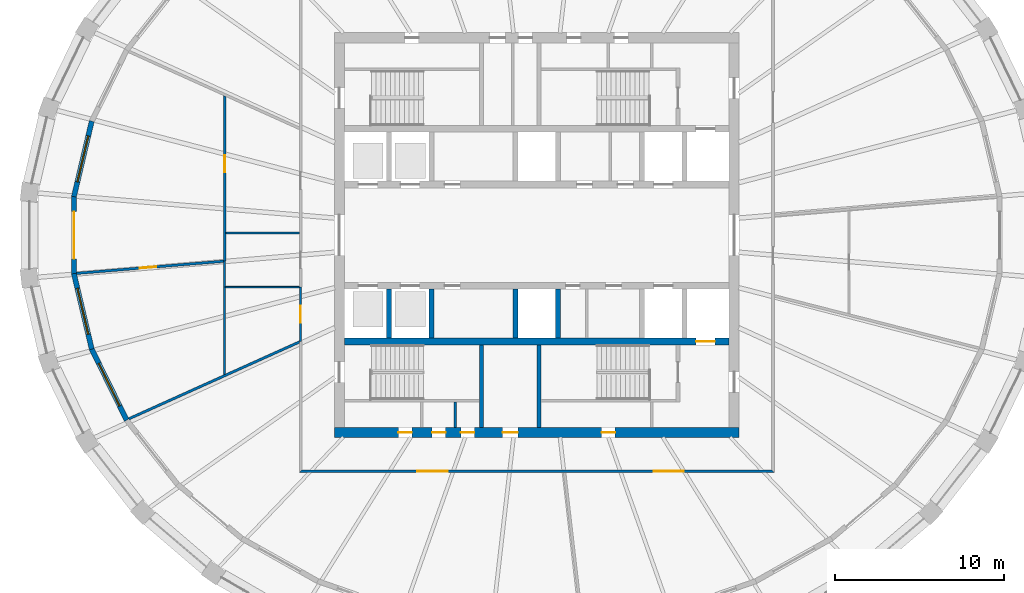
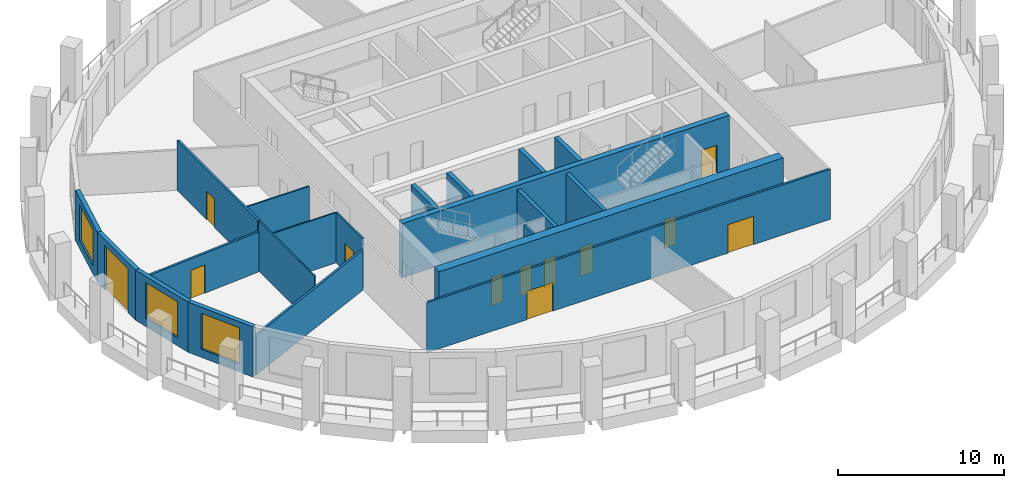
# One storey, part 3 of 10: 21 walls, 12 doors, 3 windows, 15 openings.
"""IFC4 building model written with IfcOpenShell, lengths in metres."""

from ifc_helpers import new_model, si_unit, direction, frame, frame_2d, origin, place, context, subcontext, project, spatial, polyline, rectangle, outline, extrude, material, layer, layer_set, type_object, element, fill, save


model = new_model("IFC4")

# Units and contexts
model_context = context("Model", 3, precision=1e-05, world=origin(), true_north=direction((0.0, 1.0)))
body_context = subcontext(model_context, "Body", "Model", "MODEL_VIEW")
ifc_project = project(units=[si_unit("LENGTHUNIT", "METRE"), si_unit("AREAUNIT", "SQUARE_METRE"), si_unit("VOLUMEUNIT", "CUBIC_METRE"), si_unit("PLANEANGLEUNIT", "RADIAN"), si_unit("MASSUNIT", "GRAM", prefix="KILO")], contexts=[model_context])

# Site, building, storey
site_placement = place(None, origin())
site = spatial("IfcSite", under=ifc_project, at=site_placement, CompositionType="ELEMENT")
building_placement = place(site_placement, origin())
building = spatial("IfcBuilding", under=site, at=building_placement, Name="Halqa Exchange Tower", CompositionType="ELEMENT")
storey_placement = place(building_placement, frame((0.0, 0.0, 256.300048828125)))
storey = spatial("IfcBuildingStorey", under=building, at=storey_placement, Name="L59", CompositionType="ELEMENT", Elevation=256.300048828125)

# Wall, opening, door
ifc_material_1 = material(Name="Gypsum board")
ifc_layer_1 = layer(ifc_material_1, 0.14990234375)
ifc_layer_set_1 = layer_set([ifc_layer_1], Name="Gypsum board")
wall_type_1 = type_object("IfcWallType", Name="Acoustic partition 150", PredefinedType="PARTITIONING", material=ifc_layer_set_1)
wall_1_placement = place(storey_placement, frame((-18.556396484375, -1.544677734375, 0.0), z_axis=(0.0, 0.0, 1.0), x_axis=(-0.996605565352, -0.0823246446, 0.0)))
wall_1 = element("IfcWall", 1, at=wall_1_placement, inside=storey, type_object=wall_type_1, Name="L59-PWL-004", PredefinedType="PARTITIONING", context=body_context, shape_type="SweptSolid", body=[
    extrude(outline(polyline([(8.74560546875, -0.074951171875), (8.74560546875, 0.038818359375), (8.740234375, 0.074951171875), (6.9921875, 0.074951171875), (5.244140625, 0.074951171875), (3.49609375, 0.074951171875), (1.748046875, 0.074951171875), (0.0, 0.074951171875), (0.0, -0.004638671875), (0.01806640625, -0.006103515625), (0.012451171875, -0.074951171875), (1.759033203125, -0.074951171875), (3.505615234375, -0.074951171875), (5.25244140625, -0.074951171875), (6.9990234375, -0.074951171875), (8.74560546875, -0.074951171875)])), origin(), (0.0, 0.0, 1.0), 2.947021484375),
])
opening_1_placement = place(wall_1_placement, frame((3.9990234375, 0.0, 0.0)))
opening_1 = element("IfcOpeningElement", 2, at=opening_1_placement, cuts=wall_1, Name="Opening 18-13", PredefinedType="OPENING", context=body_context, shape_type="SweptSolid", body=[
    extrude(rectangle(XDim=1.0, YDim=2.10009765625, at=frame_2d((0.5, 1.050048828125))), frame((0.0, 0.0869140625, 0.0), z_axis=(0.0, -1.0, 0.0), x_axis=(1.0, 0.0, 0.0)), (0.0, 0.0, 1.0), 0.173828125),
])
ifc_material_2 = material(Name="Timber door leaf", Category="wood")
door_type_1 = type_object("IfcDoorType", Name="Acoustic door 1000 x 2100", OperationType="SINGLE_SWING_LEFT", PredefinedType="DOOR", material=ifc_material_2)
door_1_placement = place(opening_1_placement, origin())
door_1 = element("IfcDoor", 3, at=door_1_placement, inside=storey, type_object=door_type_1, Name="L59-IDR-013", OperationType="SINGLE_SWING_LEFT", OverallHeight=2.10009765625, OverallWidth=1.0, PredefinedType="DOOR", context=body_context, shape_type="SweptSolid", body=[
    extrude(rectangle(XDim=1.0, YDim=2.10009765625, at=frame_2d((0.5, 1.050048828125))), frame((0.0, 0.02490234375, 0.0), z_axis=(0.0, -1.0, 0.0), x_axis=(1.0, 0.0, 0.0)), (0.0, 0.0, 1.0), 0.050048828125),
])
fill(opening_1, door_1)

wall_2_placement = place(storey_placement, frame((-18.5, -1.5400390625, 0.0), z_axis=(0.0, 0.0, 1.0), x_axis=(0.0, 1.0, 0.0)))
wall_2 = element("IfcWall", 4, at=wall_2_placement, inside=storey, type_object=wall_type_1, Name="L59-PWL-005", PredefinedType="PARTITIONING", context=body_context, shape_type="SweptSolid", body=[
    extrude(outline(polyline([(0.0, -0.074951171875), (1.950439453125, -0.074951171875), (3.90087890625, -0.074951171875), (5.851318359375, -0.074951171875), (7.8017578125, -0.074951171875), (9.752197265625, -0.074951171875), (9.819580078125, 0.07421875), (9.819580078125, 0.074951171875), (7.869384765625, 0.074951171875), (5.91943359375, 0.074951171875), (3.96923828125, 0.074951171875), (2.019287109375, 0.074951171875), (0.069091796875, 0.074951171875), (0.070068359375, 0.0625), (0.0, 0.056640625), (0.0, 0.050048828125), (0.0, 0.050048828125), (0.0, -0.050048828125), (0.0, -0.050048828125), (0.0, -0.074951171875)])), origin(), (0.0, 0.0, 1.0), 3.699951171875),
])
opening_2_placement = place(wall_2_placement, frame((5.27001953125, 0.0, 0.0)))
opening_2 = element("IfcOpeningElement", 5, at=opening_2_placement, cuts=wall_2, Name="Opening 18-12", PredefinedType="OPENING", context=body_context, shape_type="SweptSolid", body=[
    extrude(rectangle(XDim=1.0, YDim=2.10009765625, at=frame_2d((0.5, 1.050048828125))), frame((0.0, 0.0869140625, 0.0), z_axis=(0.0, -1.0, 0.0), x_axis=(1.0, 0.0, 0.0)), (0.0, 0.0, 1.0), 0.173828125),
])
door_2_placement = place(opening_2_placement, frame((1.0, 0.0, 0.0), z_axis=(0.0, 0.0, 1.0), x_axis=(-1.0, 0.0, 0.0)))
door_2 = element("IfcDoor", 6, at=door_2_placement, inside=storey, type_object=door_type_1, Name="L59-IDR-012", OperationType="SINGLE_SWING_LEFT", OverallHeight=2.10009765625, OverallWidth=1.0, PredefinedType="DOOR", context=body_context, shape_type="SweptSolid", body=[
    extrude(rectangle(XDim=1.0, YDim=2.10009765625, at=frame_2d((0.5, 1.050048828125))), frame((0.0, 0.02490234375, 0.0), z_axis=(0.0, -1.0, 0.0), x_axis=(1.0, 0.0, 0.0)), (0.0, 0.0, 1.0), 0.050048828125),
])
fill(opening_2, door_2)

# Wall
ifc_material_3 = material(Name="Fire-rated gypsum board")
ifc_layer_2 = layer(ifc_material_3, 0.14990234375)
ifc_layer_set_2 = layer_set([ifc_layer_2], Name="Fire-rated gypsum board")
wall_type_2 = type_object("IfcWallType", Name="Fire partition EI 60 150", PredefinedType="PARTITIONING", material=ifc_layer_set_2)
wall_3_placement = place(storey_placement, frame((-24.17626953125, -10.88671875, 0.0), z_axis=(0.0, 0.0, 1.0), x_axis=(0.9116787738, 0.410903654648, 0.0)))
element("IfcWall", 7, at=wall_3_placement, inside=storey, type_object=wall_type_2, Name="L59-PWL-001", PredefinedType="PARTITIONING", context=body_context, shape_type="SweptSolid", body=[
    extrude(outline(polyline([(0.020751953125, -0.074951171875), (1.8583984375, -0.074951171875), (3.69580078125, -0.074951171875), (5.533447265625, -0.074951171875), (7.37109375, -0.074951171875), (9.20849609375, -0.074951171875), (11.046142578125, -0.074951171875), (11.09375, 0.031005859375), (11.107421875, 0.02490234375), (11.129638671875, 0.073974609375), (11.129638671875, 0.074951171875), (9.524658203125, 0.074951171875), (7.919677734375, 0.074951171875), (6.314697265625, 0.074951171875), (6.314208984375, 0.07373046875), (6.3115234375, 0.074951171875), (4.733642578125, 0.074951171875), (3.15576171875, 0.074951171875), (1.577880859375, 0.074951171875), (0.0, 0.074951171875), (0.0, 0.0625), (0.002197265625, -0.0009765625), (0.020751953125, -0.074951171875)])), origin(), (0.0, 0.0, 1.0), 2.947021484375),
])

# Wall, openings, doors
wall_4_placement = place(storey_placement, frame((-14.074951171875, -14.0, 0.0), z_axis=(0.0, 0.0, 1.0), x_axis=(1.0, 0.0, 0.0)))
wall_4 = element("IfcWall", 8, at=wall_4_placement, inside=storey, type_object=wall_type_2, Name="L59-PWL-007", PredefinedType="PARTITIONING", context=body_context, shape_type="SweptSolid", body=[
    extrude(outline(polyline([(0.0, -0.074951171875), (1.876708984375, -0.074951171875), (3.75341796875, -0.074951171875), (5.6298828125, -0.074951171875), (7.506591796875, -0.074951171875), (9.38330078125, -0.074951171875), (11.260009765625, -0.074951171875), (13.13671875, -0.074951171875), (15.01318359375, -0.074951171875), (16.889892578125, -0.074951171875), (18.7666015625, -0.074951171875), (20.643310546875, -0.074951171875), (22.52001953125, -0.074951171875), (24.396484375, -0.074951171875), (26.273193359375, -0.074951171875), (28.14990234375, -0.074951171875), (28.0, 0.074951171875), (26.0107421875, 0.074951171875), (24.021484375, 0.074951171875), (22.0322265625, 0.074951171875), (20.042724609375, 0.074951171875), (18.053466796875, 0.074951171875), (16.064208984375, 0.074951171875), (14.074951171875, 0.074951171875), (12.085693359375, 0.074951171875), (10.096435546875, 0.074951171875), (8.107177734375, 0.074951171875), (6.11767578125, 0.074951171875), (4.12841796875, 0.074951171875), (2.13916015625, 0.074951171875), (0.14990234375, 0.074951171875), (0.0, -0.074951171875)])), origin(), (0.0, 0.0, 1.0), 3.699951171875),
])
opening_3_placement = place(wall_4_placement, frame((20.9951171875, 0.0, 0.0)))
opening_3 = element("IfcOpeningElement", 9, at=opening_3_placement, cuts=wall_4, Name="Opening 18-01", PredefinedType="OPENING", context=body_context, shape_type="SweptSolid", body=[
    extrude(rectangle(XDim=1.800048828125, YDim=2.10009765625, at=frame_2d((0.89990234375, 1.050048828125))), frame((0.0, 0.0869140625, 0.0), z_axis=(0.0, -1.0, 0.0), x_axis=(1.0, 0.0, 0.0)), (0.0, 0.0, 1.0), 0.173828125),
])
opening_4_placement = place(wall_4_placement, frame((6.9951171875, 0.0, 0.0)))
opening_4 = element("IfcOpeningElement", 10, at=opening_4_placement, cuts=wall_4, Name="Opening 18-10", PredefinedType="OPENING", context=body_context, shape_type="SweptSolid", body=[
    extrude(rectangle(XDim=1.800048828125, YDim=2.10009765625, at=frame_2d((0.89990234375, 1.050048828125))), frame((0.0, 0.0869140625, 0.0), z_axis=(0.0, -1.0, 0.0), x_axis=(1.0, 0.0, 0.0)), (0.0, 0.0, 1.0), 0.173828125),
])
ifc_material_4 = material(Name="Steel fire door leaf", Category="steel")
door_type_2 = type_object("IfcDoorType", Name="Fire door FD30S double 1800 x 2100", OperationType="DOUBLE_DOOR_SINGLE_SWING", PredefinedType="DOOR", material=ifc_material_4)
door_3_placement = place(opening_3_placement, frame((1.800048828125, 0.0, 0.0), z_axis=(0.0, 0.0, 1.0), x_axis=(-1.0, 0.0, 0.0)))
door_3 = element("IfcDoor", 11, at=door_3_placement, inside=storey, type_object=door_type_2, Name="L59-IDR-001", OperationType="DOUBLE_DOOR_SINGLE_SWING", OverallHeight=2.10009765625, OverallWidth=1.800048828125, PredefinedType="DOOR", context=body_context, shape_type="SweptSolid", body=[
    extrude(rectangle(XDim=1.800048828125, YDim=2.10009765625, at=frame_2d((0.89990234375, 1.050048828125))), frame((0.0, 0.02490234375, 0.0), z_axis=(0.0, -1.0, 0.0), x_axis=(1.0, 0.0, 0.0)), (0.0, 0.0, 1.0), 0.050048828125),
])
fill(opening_3, door_3)
door_4_placement = place(opening_4_placement, frame((1.800048828125, 0.0, 0.0), z_axis=(0.0, 0.0, 1.0), x_axis=(-1.0, 0.0, 0.0)))
door_4 = element("IfcDoor", 12, at=door_4_placement, inside=storey, type_object=door_type_2, Name="L59-IDR-010", OperationType="DOUBLE_DOOR_SINGLE_SWING", OverallHeight=2.10009765625, OverallWidth=1.800048828125, PredefinedType="DOOR", context=body_context, shape_type="SweptSolid", body=[
    extrude(rectangle(XDim=1.800048828125, YDim=2.10009765625, at=frame_2d((0.89990234375, 1.050048828125))), frame((0.0, 0.02490234375, 0.0), z_axis=(0.0, -1.0, 0.0), x_axis=(1.0, 0.0, 0.0)), (0.0, 0.0, 1.0), 0.050048828125),
])
fill(opening_4, door_4)

# Wall, opening, door
ifc_material_5 = material(Name="Fire-rated glazing", Category="glass")
ifc_layer_3 = layer(ifc_material_5, 0.1201171875)
ifc_layer_set_3 = layer_set([ifc_layer_3], Name="Fire-rated glazing")
wall_type_3 = type_object("IfcWallType", Name="Glazed fire partition EI 60 120", PredefinedType="PARTITIONING", material=ifc_layer_set_3)
wall_5_placement = place(storey_placement, frame((-14.0, -6.300048828125, 0.0), z_axis=(0.0, 0.0, 1.0), x_axis=(0.0, 1.0, 0.0)))
wall_5 = element("IfcWall", 13, at=wall_5_placement, inside=storey, type_object=wall_type_3, Name="L59-PWL-008", PredefinedType="PARTITIONING", context=body_context, shape_type="SweptSolid", body=[
    extrude(rectangle(XDim=3.219970703125, YDim=0.1201171875, at=frame_2d((1.60986328125, 0.0))), origin(), (0.0, 0.0, 1.0), 3.699951171875),
])
opening_5_placement = place(wall_5_placement, frame((1.110107421875, 0.0, 0.0)))
opening_5 = element("IfcOpeningElement", 14, at=opening_5_placement, cuts=wall_5, Name="Opening 18-09", PredefinedType="OPENING", context=body_context, shape_type="SweptSolid", body=[
    extrude(rectangle(XDim=1.0, YDim=2.10009765625, at=frame_2d((0.5, 1.050048828125))), frame((0.0, 0.072021484375, 0.0), z_axis=(0.0, -1.0, 0.0), x_axis=(1.0, 0.0, 0.0)), (0.0, 0.0, 1.0), 0.14404296875),
])
door_type_3 = type_object("IfcDoorType", Name="Fire door FD30S 1000 x 2100", OperationType="SINGLE_SWING_LEFT", PredefinedType="DOOR", material=ifc_material_4)
door_5_placement = place(opening_5_placement, origin())
door_5 = element("IfcDoor", 15, at=door_5_placement, inside=storey, type_object=door_type_3, Name="L59-IDR-009", OperationType="SINGLE_SWING_LEFT", OverallHeight=2.10009765625, OverallWidth=1.0, PredefinedType="DOOR", context=body_context, shape_type="SweptSolid", body=[
    extrude(rectangle(XDim=1.0, YDim=2.10009765625, at=frame_2d((0.5, 1.050048828125))), frame((0.0, 0.02490234375, 0.0), z_axis=(0.0, -1.0, 0.0), x_axis=(1.0, 0.0, 0.0)), (0.0, 0.0, 1.0), 0.050048828125),
])
fill(opening_5, door_5)

# Walls
ifc_layer_4 = layer(ifc_material_1, 0.10009765625)
ifc_layer_set_4 = layer_set([ifc_layer_4], Name="Gypsum board")
wall_type_4 = type_object("IfcWallType", Name="Partition 100 gypsum", PredefinedType="PARTITIONING", material=ifc_layer_set_4)
wall_6_placement = place(storey_placement, frame((-18.5, -8.26806640625, 0.0), z_axis=(0.0, 0.0, 1.0), x_axis=(0.0, 1.0, 0.0)))
element("IfcWall", 16, at=wall_6_placement, inside=storey, type_object=wall_type_4, Name="L59-PWL-003", PredefinedType="PARTITIONING", context=body_context, shape_type="SweptSolid", body=[
    extrude(outline(polyline([(0.044677734375, -0.050048828125), (1.742431640625, -0.050048828125), (3.440185546875, -0.050048828125), (5.13818359375, -0.050048828125), (5.13818359375, -0.050048828125), (5.238037109375, -0.050048828125), (5.238037109375, -0.050048828125), (6.72802734375, -0.050048828125), (6.72802734375, 0.050048828125), (5.0458984375, 0.050048828125), (3.364013671875, 0.050048828125), (1.68212890625, 0.050048828125), (0.0, 0.050048828125), (0.0, 0.048828125), (0.044677734375, -0.050048828125)])), origin(), (0.0, 0.0, 1.0), 3.699951171875),
])
wall_7_placement = place(storey_placement, frame((-14.060546875, -3.080078125, 0.0), z_axis=(0.0, 0.0, 1.0), x_axis=(-1.0, 0.0, 0.0)))
element("IfcWall", 17, at=wall_7_placement, inside=storey, type_object=wall_type_4, Name="L59-PWL-009", PredefinedType="PARTITIONING", context=body_context, shape_type="SweptSolid", body=[
    extrude(outline(polyline([(0.0, 0.050048828125), (0.0, 0.0), (0.014404296875, 0.0), (0.014404296875, -0.050048828125), (1.47265625, -0.050048828125), (2.93115234375, -0.050048828125), (4.389404296875, -0.050048828125), (4.389404296875, 0.050048828125), (2.92626953125, 0.050048828125), (1.463134765625, 0.050048828125), (0.0, 0.050048828125)])), origin(), (0.0, 0.0, 1.0), 3.699951171875),
])
wall_8_placement = place(storey_placement, frame((-14.074951171875, 0.1298828125, 0.0), z_axis=(0.0, 0.0, 1.0), x_axis=(-1.0, 0.0, 0.0)))
element("IfcWall", 18, at=wall_8_placement, inside=storey, type_object=wall_type_4, Name="L59-PWL-011", PredefinedType="PARTITIONING", context=body_context, shape_type="SweptSolid", body=[
    extrude(rectangle(XDim=4.35009765625, YDim=0.10009765625, at=frame_2d((2.175048828125, 0.0))), origin(), (0.0, 0.0, 1.0), 3.699951171875),
])
ifc_layer_5 = layer(ifc_material_1, 0.14990234375)
ifc_layer_set_5 = layer_set([ifc_layer_5], Name="Gypsum board")
wall_type_5 = type_object("IfcWallType", Name="Penthouse riser wall 150 gypsum", PredefinedType="PARTITIONING", material=ifc_layer_set_5)
wall_9_placement = place(storey_placement, frame((-4.824951171875, -11.39990234375, 0.0), z_axis=(0.0, 0.0, 1.0), x_axis=(0.0, 1.0, 0.0)))
element("IfcWall", 19, at=wall_9_placement, inside=storey, type_object=wall_type_5, Name="Partition W4.825 S", PredefinedType="PARTITIONING", context=body_context, shape_type="SweptSolid", body=[
    extrude(rectangle(XDim=1.5, YDim=0.14990234375, at=frame_2d((0.75, 0.0))), origin(), (0.0, 0.0, 1.0), 3.699951171875),
])
ifc_material_6 = material(Name="Concrete C60/75", Category="concrete")
ifc_layer_6 = layer(ifc_material_6, 0.300048828125)
ifc_layer_set_6 = layer_set([ifc_layer_6], Name="Concrete C60/75")
wall_type_6 = type_object("IfcWallType", Name="RC core wall 300", PredefinedType="SHEAR", material=ifc_layer_set_6)
for number, where, z_axis, x_axis, name in (
    (20, (-8.75, -6.10009765625, 0.0), (0.0, 0.0, 1.0), (0.0, 1.0, 0.0), "Shaft divider S1"),
    (21, (-6.25, -6.10009765625, 0.0), (0.0, 0.0, 1.0), (0.0, 1.0, 0.0), "Shaft divider S2"),
    (22, (-1.25, -6.10009765625, 0.0), (0.0, 0.0, 1.0), (0.0, 1.0, 0.0), "Shaft divider S4"),
    (23, (1.25, -6.10009765625, 0.0), (0.0, 0.0, 1.0), (0.0, 1.0, 0.0), "Shaft divider S5"),
):
    element("IfcWall", number, at=place(storey_placement, frame(where, z_axis=z_axis, x_axis=x_axis)), inside=storey, type_object=wall_type_6, Name=name, PredefinedType="SHEAR", context=body_context, shape_type="SweptSolid", body=[
        extrude(rectangle(XDim=2.900146484375, YDim=0.300048828125, at=frame_2d((1.4501953125, 0.0))), origin(), (0.0, 0.0, 1.0), 4.0),
    ])

# Wall, opening, door
ifc_layer_7 = layer(ifc_material_6, 0.39990234375)
ifc_layer_set_7 = layer_set([ifc_layer_7], Name="Concrete C60/75")
wall_type_7 = type_object("IfcWallType", Name="RC core wall 400 C60/75", PredefinedType="SHEAR", material=ifc_layer_set_7)
wall_10_placement = place(storey_placement, frame((-11.39990234375, -6.300048828125, 0.0), z_axis=(0.0, 0.0, 1.0), x_axis=(1.0, 0.0, 0.0)))
wall_10 = element("IfcWall", 24, at=wall_10_placement, inside=storey, type_object=wall_type_7, Name="Lift row back wall S", PredefinedType="SHEAR", context=body_context, shape_type="SweptSolid", body=[
    extrude(rectangle(XDim=22.7998046875, YDim=0.39990234375, at=frame_2d((11.39990234375, 0.0))), origin(), (0.0, 0.0, 1.0), 4.0),
])
opening_6_placement = place(wall_10_placement, frame((20.85009765625, 0.0, 0.0)))
opening_6 = element("IfcOpeningElement", 25, at=opening_6_placement, cuts=wall_10, Name="Opening LD-FF2-T18", PredefinedType="OPENING", context=body_context, shape_type="SweptSolid", body=[
    extrude(rectangle(XDim=1.10009765625, YDim=2.10009765625, at=frame_2d((0.550048828125, 1.050048828125))), frame((0.0, 0.2119140625, 0.0), z_axis=(0.0, -1.0, 0.0), x_axis=(1.0, 0.0, 0.0)), (0.0, 0.0, 1.0), 0.423828125),
])
ifc_material_7 = material(Name="Stainless steel", Category="steel")
door_type_4 = type_object("IfcDoorType", Name="Lift landing door 1100 x 2100", OperationType="SLIDING_TO_LEFT", PredefinedType="DOOR", material=ifc_material_7)
door_6_placement = place(opening_6_placement, origin())
door_6 = element("IfcDoor", 26, at=door_6_placement, inside=storey, type_object=door_type_4, Name="Lift landing door FF2", OperationType="SLIDING_TO_LEFT", OverallHeight=2.10009765625, OverallWidth=1.10009765625, PredefinedType="DOOR", context=body_context, shape_type="SweptSolid", body=[
    extrude(rectangle(XDim=1.10009765625, YDim=2.10009765625, at=frame_2d((0.550048828125, 1.050048828125))), frame((0.0, 0.02490234375, 0.0), z_axis=(0.0, -1.0, 0.0), x_axis=(1.0, 0.0, 0.0)), (0.0, 0.0, 1.0), 0.050048828125),
])
fill(opening_6, door_6)

# Wall, openings, doors
ifc_layer_8 = layer(ifc_material_6, 0.60009765625)
ifc_layer_set_8 = layer_set([ifc_layer_8], Name="Concrete C60/75")
wall_type_8 = type_object("IfcWallType", Name="RC core wall 600 C60/75", PredefinedType="SHEAR", material=ifc_layer_set_8)
wall_11_placement = place(storey_placement, frame((-12.0, -11.699951171875, 0.0), z_axis=(0.0, 0.0, 1.0), x_axis=(1.0, 0.0, 0.0)))
wall_11 = element("IfcWall", 27, at=wall_11_placement, inside=storey, type_object=wall_type_8, Name="Core wall south", PredefinedType="SHEAR", context=body_context, shape_type="SweptSolid", body=[
    extrude(rectangle(XDim=24.0, YDim=0.60009765625, at=frame_2d((12.0, 0.0))), origin(), (0.0, 0.0, 1.0), 4.0),
])
opening_7_placement = place(wall_11_placement, frame((9.97509765625, 0.0, 0.0)))
opening_7 = element("IfcOpeningElement", 28, at=opening_7_placement, cuts=wall_11, Name="Opening T18-C22", PredefinedType="OPENING", context=body_context, shape_type="SweptSolid", body=[
    extrude(rectangle(XDim=0.89990234375, YDim=2.10009765625, at=frame_2d((0.449951171875, 1.050048828125))), frame((0.0, 0.31201171875, 0.0), z_axis=(0.0, -1.0, 0.0), x_axis=(1.0, 0.0, 0.0)), (0.0, 0.0, 1.0), 0.6240234375),
])
opening_8_placement = place(wall_11_placement, frame((3.800048828125, 0.0, 0.0)))
opening_8 = element("IfcOpeningElement", 29, at=opening_8_placement, cuts=wall_11, Name="Opening T18-C23", PredefinedType="OPENING", context=body_context, shape_type="SweptSolid", body=[
    extrude(rectangle(XDim=0.800048828125, YDim=2.10009765625, at=frame_2d((0.39990234375, 1.050048828125))), frame((0.0, 0.31201171875, 0.0), z_axis=(0.0, -1.0, 0.0), x_axis=(1.0, 0.0, 0.0)), (0.0, 0.0, 1.0), 0.6240234375),
])
opening_9_placement = place(wall_11_placement, frame((5.800048828125, 0.0, 0.0)))
opening_9 = element("IfcOpeningElement", 30, at=opening_9_placement, cuts=wall_11, Name="Opening T18-C24", PredefinedType="OPENING", context=body_context, shape_type="SweptSolid", body=[
    extrude(rectangle(XDim=0.800048828125, YDim=2.10009765625, at=frame_2d((0.39990234375, 1.050048828125))), frame((0.0, 0.31201171875, 0.0), z_axis=(0.0, -1.0, 0.0), x_axis=(1.0, 0.0, 0.0)), (0.0, 0.0, 1.0), 0.6240234375),
])
opening_10_placement = place(wall_11_placement, frame((7.5, 0.0, 0.0)))
opening_10 = element("IfcOpeningElement", 31, at=opening_10_placement, cuts=wall_11, Name="Opening T18-C25", PredefinedType="OPENING", context=body_context, shape_type="SweptSolid", body=[
    extrude(rectangle(XDim=0.800048828125, YDim=2.10009765625, at=frame_2d((0.39990234375, 1.050048828125))), frame((0.0, 0.31201171875, 0.0), z_axis=(0.0, -1.0, 0.0), x_axis=(1.0, 0.0, 0.0)), (0.0, 0.0, 1.0), 0.6240234375),
])
opening_11_placement = place(wall_11_placement, frame((15.85009765625, 0.0, 0.0)))
opening_11 = element("IfcOpeningElement", 32, at=opening_11_placement, cuts=wall_11, Name="Opening T18-C26", PredefinedType="OPENING", context=body_context, shape_type="SweptSolid", body=[
    extrude(rectangle(XDim=0.800048828125, YDim=2.10009765625, at=frame_2d((0.39990234375, 1.050048828125))), frame((0.0, 0.31201171875, 0.0), z_axis=(0.0, -1.0, 0.0), x_axis=(1.0, 0.0, 0.0)), (0.0, 0.0, 1.0), 0.6240234375),
])
ifc_material_8 = material(Name="Timber fire door leaf", Category="wood")
door_type_5 = type_object("IfcDoorType", Name="Core room door FD30 900 x 2100", OperationType="SINGLE_SWING_LEFT", PredefinedType="DOOR", material=ifc_material_8)
door_7_placement = place(opening_7_placement, origin())
door_7 = element("IfcDoor", 33, at=door_7_placement, inside=storey, type_object=door_type_5, Name="Core room door", OperationType="SINGLE_SWING_RIGHT", OverallHeight=2.10009765625, OverallWidth=0.89990234375, PredefinedType="DOOR", context=body_context, shape_type="SweptSolid", body=[
    extrude(rectangle(XDim=0.89990234375, YDim=2.10009765625, at=frame_2d((0.449951171875, 1.050048828125))), frame((0.0, 0.02490234375, 0.0), z_axis=(0.0, -1.0, 0.0), x_axis=(1.0, 0.0, 0.0)), (0.0, 0.0, 1.0), 0.050048828125),
])
fill(opening_7, door_7)
door_type_6 = type_object("IfcDoorType", Name="Riser door FD60 800 x 2100", OperationType="SINGLE_SWING_LEFT", PredefinedType="DOOR", material=ifc_material_4)
door_8_placement = place(opening_8_placement, origin())
door_8 = element("IfcDoor", 34, at=door_8_placement, inside=storey, type_object=door_type_6, Name="Core room door", OperationType="SINGLE_SWING_LEFT", OverallHeight=2.10009765625, OverallWidth=0.800048828125, PredefinedType="DOOR", context=body_context, shape_type="SweptSolid", body=[
    extrude(rectangle(XDim=0.800048828125, YDim=2.10009765625, at=frame_2d((0.39990234375, 1.050048828125))), frame((0.0, 0.02490234375, 0.0), z_axis=(0.0, -1.0, 0.0), x_axis=(1.0, 0.0, 0.0)), (0.0, 0.0, 1.0), 0.050048828125),
])
fill(opening_8, door_8)
door_9_placement = place(opening_9_placement, origin())
door_9 = element("IfcDoor", 35, at=door_9_placement, inside=storey, type_object=door_type_6, Name="Core room door", OperationType="SINGLE_SWING_LEFT", OverallHeight=2.10009765625, OverallWidth=0.800048828125, PredefinedType="DOOR", context=body_context, shape_type="SweptSolid", body=[
    extrude(rectangle(XDim=0.800048828125, YDim=2.10009765625, at=frame_2d((0.39990234375, 1.050048828125))), frame((0.0, 0.02490234375, 0.0), z_axis=(0.0, -1.0, 0.0), x_axis=(1.0, 0.0, 0.0)), (0.0, 0.0, 1.0), 0.050048828125),
])
fill(opening_9, door_9)
door_10_placement = place(opening_10_placement, origin())
door_10 = element("IfcDoor", 36, at=door_10_placement, inside=storey, type_object=door_type_6, Name="Core room door", OperationType="SINGLE_SWING_LEFT", OverallHeight=2.10009765625, OverallWidth=0.800048828125, PredefinedType="DOOR", context=body_context, shape_type="SweptSolid", body=[
    extrude(rectangle(XDim=0.800048828125, YDim=2.10009765625, at=frame_2d((0.39990234375, 1.050048828125))), frame((0.0, 0.02490234375, 0.0), z_axis=(0.0, -1.0, 0.0), x_axis=(1.0, 0.0, 0.0)), (0.0, 0.0, 1.0), 0.050048828125),
])
fill(opening_10, door_10)
door_11_placement = place(opening_11_placement, origin())
door_11 = element("IfcDoor", 37, at=door_11_placement, inside=storey, type_object=door_type_6, Name="Core room door", OperationType="SINGLE_SWING_LEFT", OverallHeight=2.10009765625, OverallWidth=0.800048828125, PredefinedType="DOOR", context=body_context, shape_type="SweptSolid", body=[
    extrude(rectangle(XDim=0.800048828125, YDim=2.10009765625, at=frame_2d((0.39990234375, 1.050048828125))), frame((0.0, 0.02490234375, 0.0), z_axis=(0.0, -1.0, 0.0), x_axis=(1.0, 0.0, 0.0)), (0.0, 0.0, 1.0), 0.050048828125),
])
fill(opening_11, door_11)

# Walls
ifc_material_9 = material(Name="Concrete C30/37", Category="concrete")
ifc_layer_9 = layer(ifc_material_9, 0.25)
ifc_layer_set_9 = layer_set([ifc_layer_9], Name="Concrete C30/37")
wall_type_9 = type_object("IfcWallType", Name="RC stair wall 250 C30/37", PredefinedType="SHEAR", material=ifc_layer_set_9)
for number, where, z_axis, x_axis, name in (
    (38, (-3.27490234375, -11.39990234375, 0.0), (0.0, 0.0, 1.0), (0.0, 1.0, 0.0), "Stair ST1 east wall S"),
    (39, (0.125, -11.39990234375, 0.0), (0.0, 0.0, 1.0), (0.0, 1.0, 0.0), "Stair ST2 west wall S"),
):
    element("IfcWall", number, at=place(storey_placement, frame(where, z_axis=z_axis, x_axis=x_axis)), inside=storey, type_object=wall_type_9, Name=name, PredefinedType="SHEAR", context=body_context, shape_type="SweptSolid", body=[
        extrude(rectangle(XDim=4.89990234375, YDim=0.25, at=frame_2d((2.449951171875, 0.0))), origin(), (0.0, 0.0, 1.0), 3.699951171875),
    ])

# Wall, opening, window
ifc_material_10 = material(Name="Limestone cladding", Category="masonry")
ifc_layer_10 = layer(ifc_material_10, 0.0400390625)
ifc_material_11 = material(Name="Ventilated cavity")
ifc_layer_11 = layer(ifc_material_11, 0.030029296875, ventilated=True)
ifc_material_12 = material(Name="Mineral wool insulation")
ifc_layer_12 = layer(ifc_material_12, 0.10009765625)
ifc_layer_13 = layer(ifc_material_9, 0.10009765625)
ifc_material_13 = material(Name="Internal plaster")
ifc_layer_14 = layer(ifc_material_13, 0.030029296875)
ifc_layer_set_10 = layer_set([ifc_layer_10, ifc_layer_11, ifc_layer_12, ifc_layer_13, ifc_layer_14], Name="Stone-faced insulated wall 300")
wall_type_10 = type_object("IfcWallType", Name="Stone-faced insulated wall 300", PredefinedType="STANDARD", material=ifc_layer_set_10)
wall_12_placement = place(storey_placement, frame((-26.372314453125, 6.7548828125, 0.0), z_axis=(0.0, 0.0, 1.0), x_axis=(-0.229767529411, -0.973245540667, 0.0)))
wall_12 = element("IfcWall", 40, at=wall_12_placement, inside=storey, type_object=wall_type_10, Name="Glass-line wall 15", PredefinedType="STANDARD", context=body_context, shape_type="SweptSolid", body=[
    extrude(outline(polyline([(-0.016845703125, -0.14990234375), (4.6142578125, -0.14990234375), (4.5791015625, 0.14990234375), (0.016845703125, 0.14990234375), (-0.016845703125, -0.14990234375)])), origin(), (0.0, 0.0, 1.0), 3.699951171875),
])
opening_12_placement = place(wall_12_placement, frame((0.8984375, 0.0, 0.60009765625)))
opening_12 = element("IfcOpeningElement", 41, at=opening_12_placement, cuts=wall_12, Name="Opening W-F4-15", PredefinedType="OPENING", context=body_context, shape_type="SweptSolid", body=[
    extrude(rectangle(XDim=2.800048828125, YDim=2.64990234375, at=frame_2d((1.39990234375, 1.324951171875))), frame((0.0, 0.162109375, 0.0), z_axis=(0.0, -1.0, 0.0), x_axis=(1.0, 0.0, 0.0)), (0.0, 0.0, 1.0), 0.323974609375),
])
ifc_material_14 = material(Name="Clear low-emissivity glass in aluminium frame", Category="aluminium")
window_type = type_object("IfcWindowType", Name="Fixed clear glazed window 2800 x 2650", PartitioningType="DOUBLE_PANEL_VERTICAL", PredefinedType="WINDOW", material=ifc_material_14)
window_1_placement = place(opening_12_placement, origin())
window_1 = element("IfcWindow", 42, at=window_1_placement, inside=storey, type_object=window_type, Name="Window 4", OverallHeight=2.64990234375, OverallWidth=2.800048828125, PartitioningType="DOUBLE_PANEL_VERTICAL", PredefinedType="WINDOW", context=body_context, shape_type="SweptSolid", body=[
    extrude(rectangle(XDim=2.800048828125, YDim=2.64990234375, at=frame_2d((1.39990234375, 1.324951171875))), frame((0.0, 0.030029296875, 0.0), z_axis=(0.0, -1.0, 0.0), x_axis=(1.0, 0.0, 0.0)), (0.0, 0.0, 1.0), 0.06005859375),
])
fill(opening_12, window_1)

# Wall, opening, door
wall_13_placement = place(storey_placement, frame((-27.428466796875, 2.28125, 0.0), z_axis=(0.0, 0.0, 1.0), x_axis=(0.0, -1.0, 0.0)))
wall_13 = element("IfcWall", 43, at=wall_13_placement, inside=storey, type_object=wall_type_10, Name="Glass-line wall 16", PredefinedType="STANDARD", context=body_context, shape_type="SweptSolid", body=[
    extrude(outline(polyline([(-0.017578125, -0.14990234375), (4.580078125, -0.14990234375), (4.544921875, 0.14990234375), (0.017578125, 0.14990234375), (-0.017578125, -0.14990234375)])), origin(), (0.0, 0.0, 1.0), 3.699951171875),
])
opening_13_placement = place(wall_13_placement, frame((0.881103515625, 0.0, 0.0)))
opening_13 = element("IfcOpeningElement", 44, at=opening_13_placement, cuts=wall_13, Name="Opening LG-F4-04", PredefinedType="OPENING", context=body_context, shape_type="SweptSolid", body=[
    extrude(rectangle(XDim=2.800048828125, YDim=3.25, at=frame_2d((1.39990234375, 1.625))), frame((0.0, 0.162109375, 0.0), z_axis=(0.0, -1.0, 0.0), x_axis=(1.0, 0.0, 0.0)), (0.0, 0.0, 1.0), 0.323974609375),
])
door_type_7 = type_object("IfcDoorType", Name="Glazed sliding loggia door 2800 x 3250", OperationType="DOUBLE_DOOR_SLIDING", PredefinedType="DOOR", material=ifc_material_14)
door_12_placement = place(opening_13_placement, origin())
door_12 = element("IfcDoor", 45, at=door_12_placement, inside=storey, type_object=door_type_7, Name="Loggia door 4", OperationType="DOUBLE_DOOR_SLIDING", OverallHeight=3.25, OverallWidth=2.800048828125, PredefinedType="DOOR", context=body_context, shape_type="SweptSolid", body=[
    extrude(rectangle(XDim=2.800048828125, YDim=3.25, at=frame_2d((1.39990234375, 1.625))), frame((0.0, 0.02490234375, 0.0), z_axis=(0.0, -1.0, 0.0), x_axis=(1.0, 0.0, 0.0)), (0.0, 0.0, 1.0), 0.050048828125),
])
fill(opening_13, door_12)

# Wall, opening, window
wall_14_placement = place(storey_placement, frame((-27.428466796875, -2.28125, 0.0), z_axis=(0.0, 0.0, 1.0), x_axis=(0.229767529411, -0.973245540667, 0.0)))
wall_14 = element("IfcWall", 46, at=wall_14_placement, inside=storey, type_object=wall_type_10, Name="Glass-line wall 17", PredefinedType="STANDARD", context=body_context, shape_type="SweptSolid", body=[
    extrude(outline(polyline([(-0.017578125, -0.14990234375), (4.613525390625, -0.14990234375), (4.579833984375, 0.14990234375), (0.017578125, 0.14990234375), (-0.017578125, -0.14990234375)])), origin(), (0.0, 0.0, 1.0), 3.699951171875),
])
opening_14_placement = place(wall_14_placement, frame((0.8984375, 0.0, 0.60009765625)))
opening_14 = element("IfcOpeningElement", 47, at=opening_14_placement, cuts=wall_14, Name="Opening W-F4-17", PredefinedType="OPENING", context=body_context, shape_type="SweptSolid", body=[
    extrude(rectangle(XDim=2.800048828125, YDim=2.64990234375, at=frame_2d((1.39990234375, 1.324951171875))), frame((0.0, 0.162109375, 0.0), z_axis=(0.0, -1.0, 0.0), x_axis=(1.0, 0.0, 0.0)), (0.0, 0.0, 1.0), 0.323974609375),
])
window_2_placement = place(opening_14_placement, origin())
window_2 = element("IfcWindow", 48, at=window_2_placement, inside=storey, type_object=window_type, Name="Window 4", OverallHeight=2.64990234375, OverallWidth=2.800048828125, PartitioningType="DOUBLE_PANEL_VERTICAL", PredefinedType="WINDOW", context=body_context, shape_type="SweptSolid", body=[
    extrude(rectangle(XDim=2.800048828125, YDim=2.64990234375, at=frame_2d((1.39990234375, 1.324951171875))), frame((0.0, 0.030029296875, 0.0), z_axis=(0.0, -1.0, 0.0), x_axis=(1.0, 0.0, 0.0)), (0.0, 0.0, 1.0), 0.06005859375),
])
fill(opening_14, window_2)

wall_15_placement = place(storey_placement, frame((-26.372314453125, -6.7548828125, 0.0), z_axis=(0.0, 0.0, 1.0), x_axis=(0.441169971308, -0.89742356578, 0.0)))
wall_15 = element("IfcWall", 49, at=wall_15_placement, inside=storey, type_object=wall_type_10, Name="Glass-line wall 18", PredefinedType="STANDARD", context=body_context, shape_type="SweptSolid", body=[
    extrude(outline(polyline([(-0.016845703125, -0.14990234375), (4.7099609375, -0.14990234375), (4.677734375, 0.14990234375), (0.016845703125, 0.14990234375), (-0.016845703125, -0.14990234375)])), origin(), (0.0, 0.0, 1.0), 3.699951171875),
])
opening_15_placement = place(wall_15_placement, frame((0.947021484375, 0.0, 0.60009765625)))
opening_15 = element("IfcOpeningElement", 50, at=opening_15_placement, cuts=wall_15, Name="Opening W-F4-18", PredefinedType="OPENING", context=body_context, shape_type="SweptSolid", body=[
    extrude(rectangle(XDim=2.800048828125, YDim=2.64990234375, at=frame_2d((1.39990234375, 1.324951171875))), frame((0.0, 0.162109375, 0.0), z_axis=(0.0, -1.0, 0.0), x_axis=(1.0, 0.0, 0.0)), (0.0, 0.0, 1.0), 0.323974609375),
])
window_3_placement = place(opening_15_placement, origin())
window_3 = element("IfcWindow", 51, at=window_3_placement, inside=storey, type_object=window_type, Name="Window 4", OverallHeight=2.64990234375, OverallWidth=2.800048828125, PartitioningType="DOUBLE_PANEL_VERTICAL", PredefinedType="WINDOW", context=body_context, shape_type="SweptSolid", body=[
    extrude(rectangle(XDim=2.800048828125, YDim=2.64990234375, at=frame_2d((1.39990234375, 1.324951171875))), frame((0.0, 0.030029296875, 0.0), z_axis=(0.0, -1.0, 0.0), x_axis=(1.0, 0.0, 0.0)), (0.0, 0.0, 1.0), 0.06005859375),
])
fill(opening_15, window_3)

save(model, "model.ifc")
